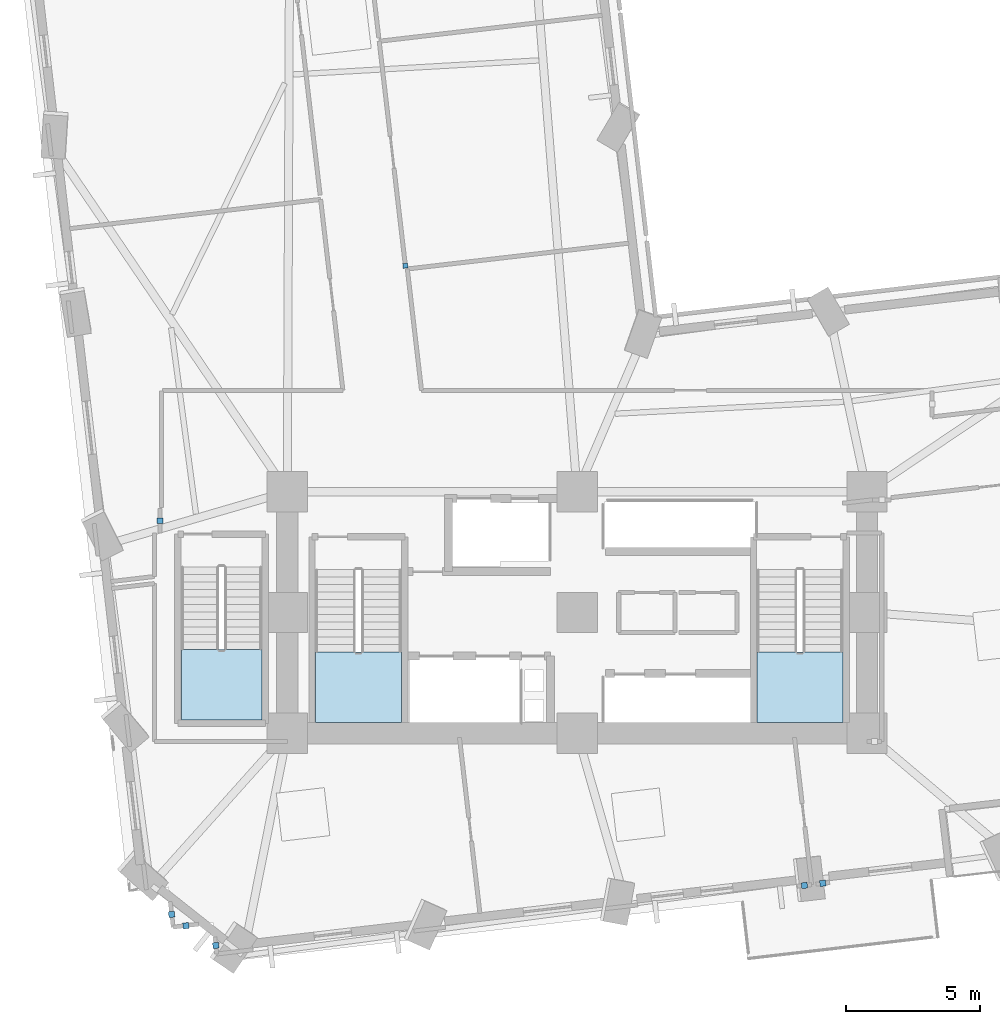
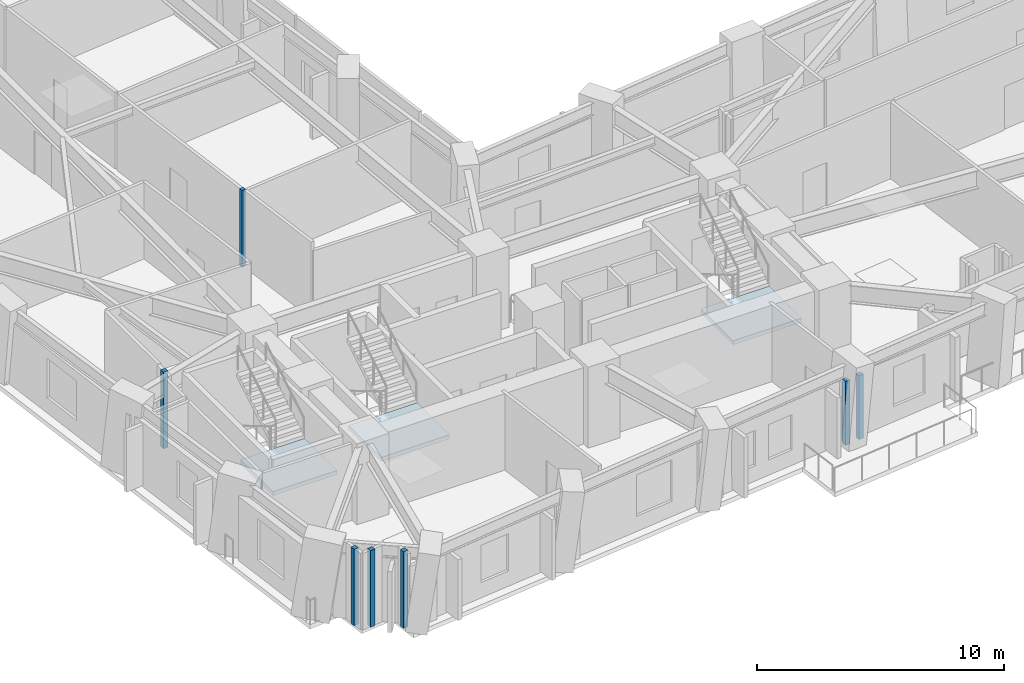
# One storey, part 3 of 14: 7 plates, 3 slabs, 3 elements without a shape of their own.
"""IFC4 building model written with IfcOpenShell, lengths in metres."""

from ifc_helpers import new_model, si_unit, direction, frame, origin, origin_2d, place, context, subcontext, project, spatial, polyline, rectangle, outline, extrude, material, layer, layer_set, type_object, element, aggregate, save


model = new_model("IFC4")

# Units and contexts
model_context = context("Model", 3, precision=1e-05, world=origin(), true_north=direction((0.0, 1.0)))
body_context = subcontext(model_context, "Body", "Model", "MODEL_VIEW")
ifc_project = project(units=[si_unit("LENGTHUNIT", "METRE"), si_unit("AREAUNIT", "SQUARE_METRE"), si_unit("VOLUMEUNIT", "CUBIC_METRE"), si_unit("PLANEANGLEUNIT", "RADIAN"), si_unit("MASSUNIT", "GRAM", prefix="KILO")], contexts=[model_context])

# Site, building, storey
site_placement = place(None, origin())
site = spatial("IfcSite", under=ifc_project, at=site_placement, CompositionType="ELEMENT")
building_placement = place(site_placement, origin())
building = spatial("IfcBuilding", under=site, at=building_placement, Name="Gaonmaruhae Medical Tower", CompositionType="ELEMENT")
storey_placement = place(building_placement, frame((0.0, 0.0, 51.0)))
storey = spatial("IfcBuildingStorey", under=building, at=storey_placement, Name="L11", CompositionType="ELEMENT", Elevation=51.0)

# Plates
ifc_material_1 = material(Name="Anodised aluminium 6063-T6", Category="aluminium")
ifc_layer_1 = layer(ifc_material_1, 0.011962890625)
ifc_layer_set_1 = layer_set([ifc_layer_1], Name="Anodised aluminium 6063-T6")
plate_type = type_object("IfcPlateType", Name="PP-01 Interior Partition Corner Stiffener Plate", PredefinedType="SHEET", material=ifc_layer_set_1)
plate_1_placement = place(storey_placement, frame((18.3994140625, 25.222412109375, 0.0), z_axis=(0.0, 0.0, 1.0), x_axis=(-0.115821323742, 0.993270064467, 0.0)))
element("IfcPlate", 1, at=plate_1_placement, inside=storey, type_object=plate_type, Name="L11 Partition End Jamb Post Plate PLT-L11-ENDP-PW081-0", PredefinedType="SHEET", context=body_context, shape_type="SweptSolid", body=[
    extrude(rectangle(XDim=0.179931640625, YDim=0.179931640625, at=origin_2d()), origin(), (0.0, 0.0, 1.0), 3.780029296875),
])
for number, where, z_axis, x_axis, name in (
    (2, (11.333984375, -0.1064453125, 0.0), (0.0, 0.0, 1.0), (-0.115751980127, 0.9932781479, 0.0), "L11 Partition Corner Stiffener Plate PLT-L11-JGP-PW014"),
    (3, (10.221435546875, 0.62939453125, 0.0), (0.0, 0.0, 1.0), (-0.993284207298, -0.115699972047, 0.0), "L11 Partition Corner Stiffener Plate PLT-L11-JGP-PW015"),
    (4, (9.689453125, 1.050537109375, 0.0), (0.0, 0.0, 1.0), (-0.115699972047, 0.993284207298, 0.0), "L11 Partition Corner Stiffener Plate PLT-L11-JGP-PW016"),
):
    element("IfcPlate", number, at=place(storey_placement, frame(where, z_axis=z_axis, x_axis=x_axis)), inside=storey, type_object=plate_type, Name=name, PredefinedType="SHEET", context=body_context, shape_type="SweptSolid", body=[
        extrude(rectangle(XDim=0.219970703125, YDim=0.219970703125, at=origin_2d()), origin(), (0.0, 0.0, 1.0), 3.780029296875),
    ])
for number, where, z_axis, x_axis, name in (
    (5, (33.26904296875, 2.12890625, 0.0), (0.0, 0.0, 1.0), (-0.993326546835, -0.115335906607, 0.0), "L11 Partition Corner Stiffener Plate PLT-L11-JGP-PW019"),
    (6, (33.951904296875, 2.208984375, 0.0), (0.0, 0.0, 1.0), (-0.99325590681, -0.115942673708, 0.0), "L11 Partition Corner Stiffener Plate PLT-L11-JGP-PW032"),
):
    element("IfcPlate", number, at=place(storey_placement, frame(where, z_axis=z_axis, x_axis=x_axis)), inside=storey, type_object=plate_type, Name=name, PredefinedType="SHEET", context=body_context, shape_type="SweptSolid", body=[
        extrude(rectangle(XDim=0.219970703125, YDim=0.219970703125, at=origin_2d()), origin(), (0.0, 0.0, 1.0), 3.1650390625),
    ])
plate_2_placement = place(storey_placement, frame((9.260009765625, 15.719970703125, 0.0), z_axis=(0.0, 0.0, 1.0), x_axis=(0.0, -1.0, 0.0)))
element("IfcPlate", 7, at=plate_2_placement, inside=storey, type_object=plate_type, Name="L11 Partition Corner Stiffener Plate PLT-L11-JGP-PW048", PredefinedType="SHEET", context=body_context, shape_type="SweptSolid", body=[
    extrude(rectangle(XDim=0.219970703125, YDim=0.219970703125, at=origin_2d()), origin(), (0.0, 0.0, 1.0), 3.780029296875),
])

# Stair, slab
ifc_material_2 = material(Name="Concrete C40/50", Category="concrete")
stair_type_1 = type_object("IfcStairType", Name="ST-T1 Primary Core Escape Dogleg Stair", PredefinedType="TWO_QUARTER_TURN_STAIR", material=ifc_material_2)
stair_1_placement = place(storey_placement, origin())
stair_1 = element("IfcStair", 8, at=stair_1_placement, inside=storey, type_object=stair_type_1, Name="L11 Protected Escape Stair ST-01", PredefinedType="TWO_QUARTER_TURN_STAIR")
ifc_layer_2 = layer(ifc_material_2, 0.199951171875)
ifc_layer_set_2 = layer_set([ifc_layer_2], Name="Concrete C40/50")
slab_type = type_object("IfcSlabType", Name="SL-200 Stair & Ramp Intermediate Concrete Landing", PredefinedType="LANDING", material=ifc_layer_set_2)
slab_1_placement = place(storey_placement, frame((0.0, 0.0, 1.800048828125)))
slab_1 = element("IfcSlab", 9, at=slab_1_placement, type_object=slab_type, Name="ST-01 landing 1", PredefinedType="LANDING", context=body_context, shape_type="SweptSolid", body=[
    extrude(outline(polyline([(15.050048828125, 10.820068359375), (15.050048828125, 8.2041015625), (18.25, 8.2041015625), (18.25, 10.820068359375), (15.050048828125, 10.820068359375)])), origin(), (0.0, 0.0, 1.0), 0.199951171875),
])
aggregate(stair_1, [slab_1])

stair_2_placement = place(storey_placement, origin())
stair_2 = element("IfcStair", 10, at=stair_2_placement, inside=storey, type_object=stair_type_1, Name="L11 Protected Escape Stair ST-02", PredefinedType="TWO_QUARTER_TURN_STAIR")
slab_2_placement = place(storey_placement, frame((0.0, 0.0, 1.800048828125)))
slab_2 = element("IfcSlab", 11, at=slab_2_placement, type_object=slab_type, Name="ST-02 landing 1", PredefinedType="LANDING", context=body_context, shape_type="SweptSolid", body=[
    extrude(outline(polyline([(31.5, 10.820068359375), (31.5, 8.2041015625), (34.699951171875, 8.2041015625), (34.699951171875, 10.820068359375), (31.5, 10.820068359375)])), origin(), (0.0, 0.0, 1.0), 0.199951171875),
])
aggregate(stair_2, [slab_2])

stair_type_2 = type_object("IfcStairType", Name="ST-T2 Zone 1 Escape Dogleg Stair", PredefinedType="TWO_QUARTER_TURN_STAIR", material=ifc_material_2)
stair_3_placement = place(storey_placement, origin())
stair_3 = element("IfcStair", 12, at=stair_3_placement, inside=storey, type_object=stair_type_2, Name="L11 Protected Escape Stair ST-03", PredefinedType="TWO_QUARTER_TURN_STAIR")
slab_3_placement = place(storey_placement, frame((0.0, 0.0, 1.800048828125)))
slab_3 = element("IfcSlab", 13, at=slab_3_placement, type_object=slab_type, Name="ST-03 landing 1", PredefinedType="LANDING", context=body_context, shape_type="SweptSolid", body=[
    extrude(outline(polyline([(10.050048828125, 10.919921875), (10.050048828125, 8.300048828125), (13.050048828125, 8.300048828125), (13.050048828125, 10.919921875), (10.050048828125, 10.919921875)])), origin(), (0.0, 0.0, 1.0), 0.199951171875),
])
aggregate(stair_3, [slab_3])

save(model, "model.ifc")
